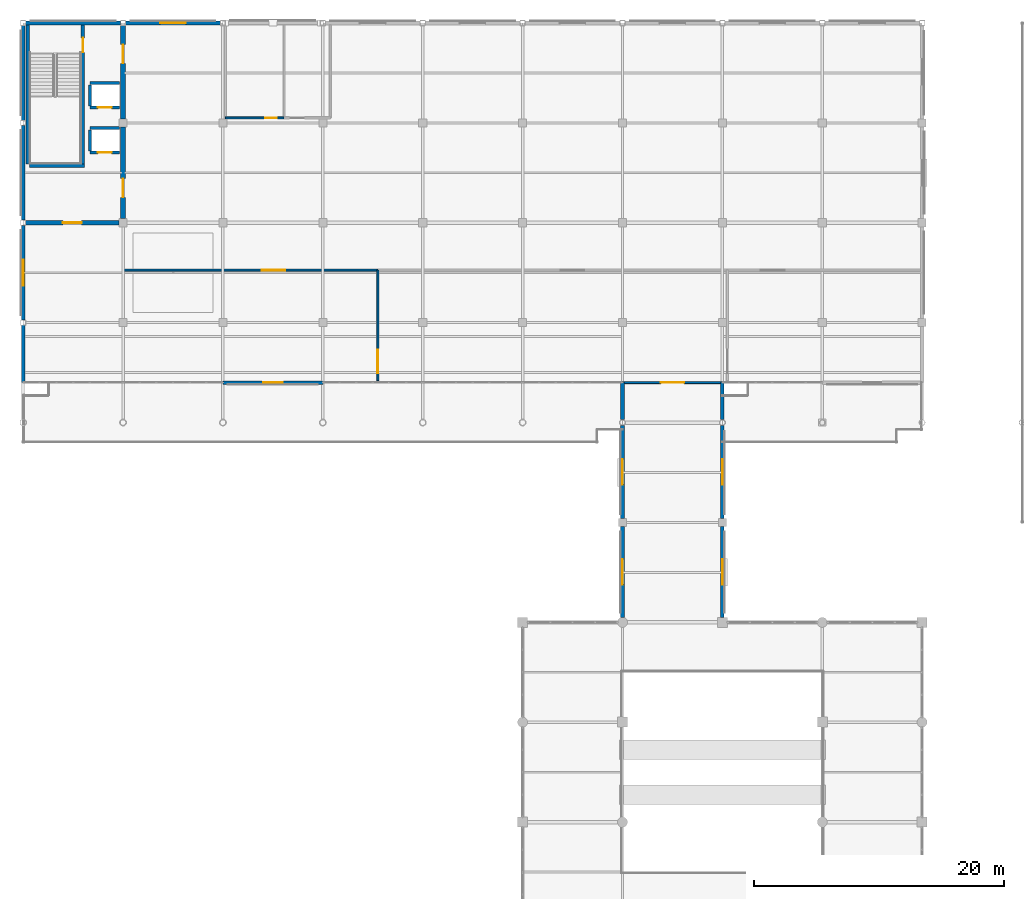
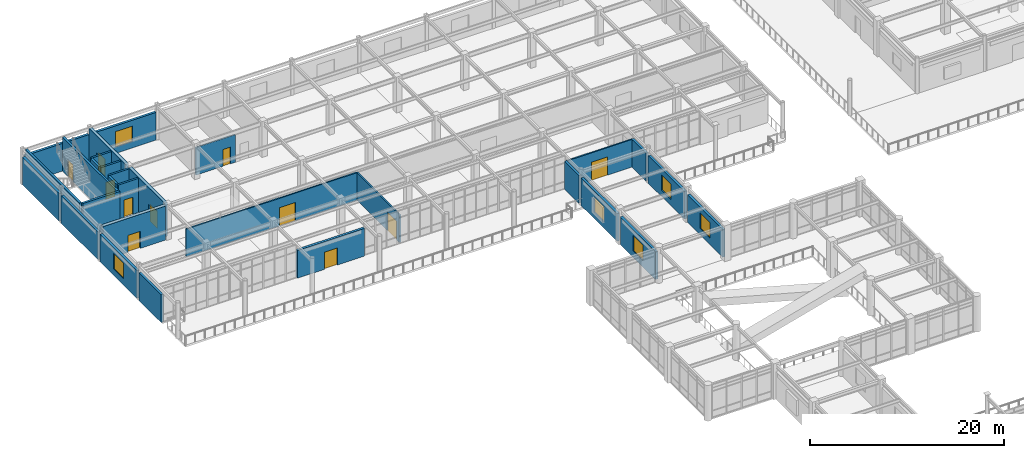
# One storey, part 57 of 75: 29 walls, 11 doors, 6 windows, 17 openings.
"""IFC4 building model written with IfcOpenShell, lengths in metres."""

from ifc_helpers import new_model, si_unit, direction, frame, frame_2d, origin, place, context, subcontext, project, spatial, rectangle, extrude, material, layer, layer_set, type_object, element, fill, save


model = new_model("IFC4")

# Units and contexts
model_context = context("Model", 3, precision=1e-05, world=origin(), true_north=direction((0.0, 1.0)))
body_context = subcontext(model_context, "Body", "Model", "MODEL_VIEW")
ifc_project = project(units=[si_unit("LENGTHUNIT", "METRE"), si_unit("AREAUNIT", "SQUARE_METRE"), si_unit("VOLUMEUNIT", "CUBIC_METRE"), si_unit("PLANEANGLEUNIT", "RADIAN"), si_unit("MASSUNIT", "GRAM", prefix="KILO")], contexts=[model_context])

# Site, building, storey
site_placement = place(None, origin())
site = spatial("IfcSite", under=ifc_project, at=site_placement, CompositionType="ELEMENT")
building_placement = place(site_placement, origin())
building = spatial("IfcBuilding", under=site, at=building_placement, Name="Solmirada Galleria", CompositionType="ELEMENT")
storey_placement = place(building_placement, frame((0.0, 0.0, 19.39990234375)))
storey = spatial("IfcBuildingStorey", under=building, at=storey_placement, Name="L04", CompositionType="ELEMENT", Elevation=19.39990234375)

# Wall, opening, door
ifc_material_1 = material(Name="Concrete C40/50", Category="concrete")
ifc_layer_1 = layer(ifc_material_1, 0.3798828125)
ifc_layer_set_1 = layer_set([ifc_layer_1], Name="Concrete C40/50")
wall_type_1 = type_object("IfcWallType", Name="WL-CORE-380", PredefinedType="SHEAR", material=ifc_layer_set_1)
wall_1_placement = place(storey_placement, frame((40.202880859375, 104.0, 0.0), z_axis=(0.0, 0.0, 1.0), x_axis=(1.0, 0.0, 0.0)))
wall_1 = element("IfcWall", 1, at=wall_1_placement, inside=storey, type_object=wall_type_1, Name="Core C1 shear wall L04 S1", PredefinedType="SHEAR", context=body_context, shape_type="SweptSolid", body=[
    extrude(rectangle(XDim=7.47216796875, YDim=0.3798828125, at=frame_2d((3.736083984375, 0.0))), origin(), (0.0, 0.0, 1.0), 4.280029296875),
])
opening_1_placement = place(wall_1_placement, frame((2.986083984375, 0.0, 0.0)))
opening_1 = element("IfcOpeningElement", 2, at=opening_1_placement, cuts=wall_1, Name="Opening LDY-122", PredefinedType="OPENING", context=body_context, shape_type="SweptSolid", body=[
    extrude(rectangle(XDim=1.5, YDim=2.14990234375, at=frame_2d((0.75, 1.074951171875))), frame((0.0, 0.199951171875, 0.0), z_axis=(0.0, -1.0, 0.0), x_axis=(1.0, 0.0, 0.0)), (0.0, 0.0, 1.0), 0.39990234375),
])
ifc_material_2 = material(Name="Fire-rated painted steel door assembly", Category="steel")
door_type_1 = type_object("IfcDoorType", Name="DR-LOBBY-150X215", OperationType="DOUBLE_DOOR_SINGLE_SWING", PredefinedType="DOOR", material=ifc_material_2)
door_1_placement = place(opening_1_placement, origin())
door_1 = element("IfcDoor", 3, at=door_1_placement, inside=storey, type_object=door_type_1, Name="Core C1 lobby access fire door LDY-122", OperationType="DOUBLE_DOOR_SINGLE_SWING", OverallHeight=2.14990234375, OverallWidth=1.5, PredefinedType="DOOR", context=body_context, shape_type="SweptSolid", body=[
    extrude(rectangle(XDim=1.5, YDim=2.14990234375, at=frame_2d((0.75, 1.074951171875))), frame((0.0, 0.02490234375, 0.0), z_axis=(0.0, -1.0, 0.0), x_axis=(1.0, 0.0, 0.0)), (0.0, 0.0, 1.0), 0.050048828125),
])
fill(opening_1, door_1)

wall_2_placement = place(storey_placement, frame((48.0, 104.324951171875, 0.0), z_axis=(0.0, 0.0, 1.0), x_axis=(0.0, 1.0, 0.0)))
wall_2 = element("IfcWall", 4, at=wall_2_placement, inside=storey, type_object=wall_type_1, Name="Core C1 shear wall L04 E1", PredefinedType="SHEAR", context=body_context, shape_type="SweptSolid", body=[
    extrude(rectangle(XDim=7.35009765625, YDim=0.3798828125, at=frame_2d((3.675048828125, 0.0))), origin(), (0.0, 0.0, 1.0), 4.280029296875),
])
opening_2_placement = place(wall_2_placement, frame((1.7119140625, 0.0, 0.0)))
opening_2 = element("IfcOpeningElement", 5, at=opening_2_placement, cuts=wall_2, Name="Opening LDY-123", PredefinedType="OPENING", context=body_context, shape_type="SweptSolid", body=[
    extrude(rectangle(XDim=1.5, YDim=2.14990234375, at=frame_2d((0.75, 1.074951171875))), frame((0.0, 0.199951171875, 0.0), z_axis=(0.0, -1.0, 0.0), x_axis=(1.0, 0.0, 0.0)), (0.0, 0.0, 1.0), 0.39990234375),
])
door_2_placement = place(opening_2_placement, origin())
door_2 = element("IfcDoor", 6, at=door_2_placement, inside=storey, type_object=door_type_1, Name="Core C1 lobby access fire door LDY-123", OperationType="DOUBLE_DOOR_SINGLE_SWING", OverallHeight=2.14990234375, OverallWidth=1.5, PredefinedType="DOOR", context=body_context, shape_type="SweptSolid", body=[
    extrude(rectangle(XDim=1.5, YDim=2.14990234375, at=frame_2d((0.75, 1.074951171875))), frame((0.0, 0.02490234375, 0.0), z_axis=(0.0, -1.0, 0.0), x_axis=(1.0, 0.0, 0.0)), (0.0, 0.0, 1.0), 0.050048828125),
])
fill(opening_2, door_2)

wall_3_placement = place(storey_placement, frame((48.0, 112.324951171875, 0.0), z_axis=(0.0, 0.0, 1.0), x_axis=(0.0, 1.0, 0.0)))
wall_3 = element("IfcWall", 7, at=wall_3_placement, inside=storey, type_object=wall_type_1, Name="Core C1 shear wall L04 E2", PredefinedType="SHEAR", context=body_context, shape_type="SweptSolid", body=[
    extrude(rectangle(XDim=7.47216796875, YDim=0.3798828125, at=frame_2d((3.736083984375, 0.0))), origin(), (0.0, 0.0, 1.0), 4.280029296875),
])
opening_3_placement = place(wall_3_placement, frame((4.447998046875, 0.0, 0.0)))
opening_3 = element("IfcOpeningElement", 8, at=opening_3_placement, cuts=wall_3, Name="Opening LDY-124", PredefinedType="OPENING", context=body_context, shape_type="SweptSolid", body=[
    extrude(rectangle(XDim=1.5, YDim=2.14990234375, at=frame_2d((0.75, 1.074951171875))), frame((0.0, 0.199951171875, 0.0), z_axis=(0.0, -1.0, 0.0), x_axis=(1.0, 0.0, 0.0)), (0.0, 0.0, 1.0), 0.39990234375),
])
door_3_placement = place(opening_3_placement, origin())
door_3 = element("IfcDoor", 9, at=door_3_placement, inside=storey, type_object=door_type_1, Name="Core C1 lobby access fire door LDY-124", OperationType="DOUBLE_DOOR_SINGLE_SWING", OverallHeight=2.14990234375, OverallWidth=1.5, PredefinedType="DOOR", context=body_context, shape_type="SweptSolid", body=[
    extrude(rectangle(XDim=1.5, YDim=2.14990234375, at=frame_2d((0.75, 1.074951171875))), frame((0.0, 0.02490234375, 0.0), z_axis=(0.0, -1.0, 0.0), x_axis=(1.0, 0.0, 0.0)), (0.0, 0.0, 1.0), 0.050048828125),
])
fill(opening_3, door_3)

# Wall, opening, window
ifc_material_3 = material(Name="Precast concrete C40/50", Category="concrete")
ifc_layer_2 = layer(ifc_material_3, 0.2900390625)
ifc_layer_set_2 = layer_set([ifc_layer_2], Name="Precast concrete C40/50")
wall_type_2 = type_object("IfcWallType", Name="WL-EXT-290", PredefinedType="STANDARD", material=ifc_layer_set_2)
wall_4_placement = place(storey_placement, frame((88.0, 72.39990234375, 0.0), z_axis=(0.0, 0.0, 1.0), x_axis=(0.0, 1.0, 0.0)))
wall_4 = element("IfcWall", 10, at=wall_4_placement, inside=storey, type_object=wall_type_2, Name="Exterior wall L04 bay 009", PredefinedType="STANDARD", context=body_context, shape_type="SweptSolid", body=[
    extrude(rectangle(XDim=7.275146484375, YDim=0.2900390625, at=frame_2d((3.6376953125, 0.0))), origin(), (0.0, 0.0, 1.0), 3.47998046875),
])
opening_4_placement = place(wall_4_placement, frame((2.612060546875, 0.0, 0.800048828125)))
opening_4 = element("IfcOpeningElement", 11, at=opening_4_placement, cuts=wall_4, Name="Opening WN4", PredefinedType="OPENING", context=body_context, shape_type="SweptSolid", body=[
    extrude(rectangle(XDim=2.050048828125, YDim=1.949951171875, at=frame_2d((1.02490234375, 0.97509765625))), frame((0.0, 0.155029296875, 0.0), z_axis=(0.0, -1.0, 0.0), x_axis=(1.0, 0.0, 0.0)), (0.0, 0.0, 1.0), 0.31005859375),
])
ifc_material_4 = material(Name="Impact-resistant low-E double glazing", Category="glass")
window_type = type_object("IfcWindowType", Name="WIN-AVE-205X195", PartitioningType="DOUBLE_PANEL_VERTICAL", PredefinedType="WINDOW", material=ifc_material_4)
window_1_placement = place(opening_4_placement, origin())
window_1 = element("IfcWindow", 12, at=window_1_placement, inside=storey, type_object=window_type, Name="Window L04-115", OverallHeight=1.949951171875, OverallWidth=2.050048828125, PartitioningType="DOUBLE_PANEL_VERTICAL", PredefinedType="WINDOW", context=body_context, shape_type="SweptSolid", body=[
    extrude(rectangle(XDim=2.050048828125, YDim=1.949951171875, at=frame_2d((1.02490234375, 0.97509765625))), frame((0.0, 0.030029296875, 0.0), z_axis=(0.0, -1.0, 0.0), x_axis=(1.0, 0.0, 0.0)), (0.0, 0.0, 1.0), 0.06005859375),
])
fill(opening_4, window_1)

wall_5_placement = place(storey_placement, frame((88.0, 80.324951171875, 0.0), z_axis=(0.0, 0.0, 1.0), x_axis=(0.0, 1.0, 0.0)))
wall_5 = element("IfcWall", 13, at=wall_5_placement, inside=storey, type_object=wall_type_2, Name="Exterior wall L04 bay 010", PredefinedType="STANDARD", context=body_context, shape_type="SweptSolid", body=[
    extrude(rectangle(XDim=7.446533203125, YDim=0.2900390625, at=frame_2d((3.72314453125, 0.0))), origin(), (0.0, 0.0, 1.0), 3.47998046875),
])
opening_5_placement = place(wall_5_placement, frame((2.697998046875, 0.0, 0.800048828125)))
opening_5 = element("IfcOpeningElement", 14, at=opening_5_placement, cuts=wall_5, Name="Opening WN4", PredefinedType="OPENING", context=body_context, shape_type="SweptSolid", body=[
    extrude(rectangle(XDim=2.050048828125, YDim=1.949951171875, at=frame_2d((1.02490234375, 0.97509765625))), frame((0.0, 0.155029296875, 0.0), z_axis=(0.0, -1.0, 0.0), x_axis=(1.0, 0.0, 0.0)), (0.0, 0.0, 1.0), 0.31005859375),
])
window_2_placement = place(opening_5_placement, origin())
window_2 = element("IfcWindow", 15, at=window_2_placement, inside=storey, type_object=window_type, Name="Window L04-116", OverallHeight=1.949951171875, OverallWidth=2.050048828125, PartitioningType="DOUBLE_PANEL_VERTICAL", PredefinedType="WINDOW", context=body_context, shape_type="SweptSolid", body=[
    extrude(rectangle(XDim=2.050048828125, YDim=1.949951171875, at=frame_2d((1.02490234375, 0.97509765625))), frame((0.0, 0.030029296875, 0.0), z_axis=(0.0, -1.0, 0.0), x_axis=(1.0, 0.0, 0.0)), (0.0, 0.0, 1.0), 0.06005859375),
])
fill(opening_5, window_2)

# Wall
wall_6_placement = place(storey_placement, frame((88.0, 88.228515625, 0.0), z_axis=(0.0, 0.0, 1.0), x_axis=(0.0, 1.0, 0.0)))
element("IfcWall", 16, at=wall_6_placement, inside=storey, type_object=wall_type_2, Name="Exterior wall L04 bay 011", PredefinedType="STANDARD", context=body_context, shape_type="SweptSolid", body=[
    extrude(rectangle(XDim=2.971435546875, YDim=0.2900390625, at=frame_2d((1.48583984375, 0.0))), origin(), (0.0, 0.0, 1.0), 3.47998046875),
])

# Wall, opening, door
wall_7_placement = place(storey_placement, frame((64.0, 91.199951171875, 0.0), z_axis=(0.0, 0.0, 1.0), x_axis=(-1.0, 0.0, 0.0)))
wall_7 = element("IfcWall", 17, at=wall_7_placement, inside=storey, type_object=wall_type_2, Name="Exterior wall L04 bay 015", PredefinedType="STANDARD", context=body_context, shape_type="SweptSolid", body=[
    extrude(rectangle(XDim=8.0, YDim=0.2900390625, at=frame_2d((4.0, 0.0))), origin(), (0.0, 0.0, 1.0), 3.47998046875),
])
opening_6_placement = place(wall_7_placement, frame((3.22509765625, 0.0, 0.0)))
opening_6 = element("IfcOpeningElement", 18, at=opening_6_placement, cuts=wall_7, Name="Opening TD-070", PredefinedType="OPENING", context=body_context, shape_type="SweptSolid", body=[
    extrude(rectangle(XDim=1.550048828125, YDim=2.14990234375, at=frame_2d((0.77490234375, 1.074951171875))), frame((0.0, 0.155029296875, 0.0), z_axis=(0.0, -1.0, 0.0), x_axis=(1.0, 0.0, 0.0)), (0.0, 0.0, 1.0), 0.31005859375),
])
ifc_material_5 = material(Name="Thermally broken aluminium and laminated glass door", Category="aluminium")
door_type_2 = type_object("IfcDoorType", Name="DR-TERR-155X215", OperationType="DOUBLE_DOOR_SINGLE_SWING", PredefinedType="DOOR", material=ifc_material_5)
door_4_placement = place(opening_6_placement, origin())
door_4 = element("IfcDoor", 19, at=door_4_placement, inside=storey, type_object=door_type_2, Name="Planted terrace access door TD-070", OperationType="DOUBLE_DOOR_SINGLE_SWING", OverallHeight=2.14990234375, OverallWidth=1.550048828125, PredefinedType="DOOR", context=body_context, shape_type="SweptSolid", body=[
    extrude(rectangle(XDim=1.550048828125, YDim=2.14990234375, at=frame_2d((0.77490234375, 1.074951171875))), frame((0.0, 0.02490234375, 0.0), z_axis=(0.0, -1.0, 0.0), x_axis=(1.0, 0.0, 0.0)), (0.0, 0.0, 1.0), 0.050048828125),
])
fill(opening_6, door_4)

# Wall
wall_8_placement = place(storey_placement, frame((40.0, 91.199951171875, 0.0), z_axis=(0.0, 0.0, 1.0), x_axis=(0.0, 1.0, 0.0)))
element("IfcWall", 20, at=wall_8_placement, inside=storey, type_object=wall_type_2, Name="Exterior wall L04 bay 018", PredefinedType="STANDARD", context=body_context, shape_type="SweptSolid", body=[
    extrude(rectangle(XDim=4.59716796875, YDim=0.2900390625, at=frame_2d((2.298583984375, 0.0))), origin(), (0.0, 0.0, 1.0), 3.47998046875),
])

# Wall, opening, window
wall_9_placement = place(storey_placement, frame((40.0, 96.202880859375, 0.0), z_axis=(0.0, 0.0, 1.0), x_axis=(0.0, 1.0, 0.0)))
wall_9 = element("IfcWall", 21, at=wall_9_placement, inside=storey, type_object=wall_type_2, Name="Exterior wall L04 bay 019", PredefinedType="STANDARD", context=body_context, shape_type="SweptSolid", body=[
    extrude(rectangle(XDim=7.59423828125, YDim=0.2900390625, at=frame_2d((3.797119140625, 0.0))), origin(), (0.0, 0.0, 1.0), 3.47998046875),
])
opening_7_placement = place(wall_9_placement, frame((2.77197265625, 0.0, 0.800048828125)))
opening_7 = element("IfcOpeningElement", 22, at=opening_7_placement, cuts=wall_9, Name="Opening WN4", PredefinedType="OPENING", context=body_context, shape_type="SweptSolid", body=[
    extrude(rectangle(XDim=2.050048828125, YDim=1.949951171875, at=frame_2d((1.02490234375, 0.97509765625))), frame((0.0, 0.155029296875, 0.0), z_axis=(0.0, -1.0, 0.0), x_axis=(1.0, 0.0, 0.0)), (0.0, 0.0, 1.0), 0.31005859375),
])
window_3_placement = place(opening_7_placement, origin())
window_3 = element("IfcWindow", 23, at=window_3_placement, inside=storey, type_object=window_type, Name="Window L04-117", OverallHeight=1.949951171875, OverallWidth=2.050048828125, PartitioningType="DOUBLE_PANEL_VERTICAL", PredefinedType="WINDOW", context=body_context, shape_type="SweptSolid", body=[
    extrude(rectangle(XDim=2.050048828125, YDim=1.949951171875, at=frame_2d((1.02490234375, 0.97509765625))), frame((0.0, 0.030029296875, 0.0), z_axis=(0.0, -1.0, 0.0), x_axis=(1.0, 0.0, 0.0)), (0.0, 0.0, 1.0), 0.06005859375),
])
fill(opening_7, window_3)

# Walls
for number, where, z_axis, x_axis, name in (
    (24, (40.0, 104.202880859375, 0.0), (0.0, 0.0, 1.0), (0.0, 1.0, 0.0), "Exterior wall L04 bay 020"),
    (25, (40.0, 112.202880859375, 0.0), (0.0, 0.0, 1.0), (0.0, 1.0, 0.0), "Exterior wall L04 bay 021"),
    (26, (40.202880859375, 120.0, 0.0), (0.0, 0.0, 1.0), (1.0, 0.0, 0.0), "Exterior wall L04 bay 022"),
):
    element("IfcWall", number, at=place(storey_placement, frame(where, z_axis=z_axis, x_axis=x_axis)), inside=storey, type_object=wall_type_2, Name=name, PredefinedType="STANDARD", context=body_context, shape_type="SweptSolid", body=[
        extrude(rectangle(XDim=7.59423828125, YDim=0.2900390625, at=frame_2d((3.797119140625, 0.0))), origin(), (0.0, 0.0, 1.0), 3.47998046875),
    ])

# Wall, opening, window
wall_10_placement = place(storey_placement, frame((48.202880859375, 120.0, 0.0), z_axis=(0.0, 0.0, 1.0), x_axis=(1.0, 0.0, 0.0)))
wall_10 = element("IfcWall", 27, at=wall_10_placement, inside=storey, type_object=wall_type_2, Name="Exterior wall L04 bay 023", PredefinedType="STANDARD", context=body_context, shape_type="SweptSolid", body=[
    extrude(rectangle(XDim=7.59423828125, YDim=0.2900390625, at=frame_2d((3.797119140625, 0.0))), origin(), (0.0, 0.0, 1.0), 3.47998046875),
])
opening_8_placement = place(wall_10_placement, frame((2.77197265625, 0.0, 0.800048828125)))
opening_8 = element("IfcOpeningElement", 28, at=opening_8_placement, cuts=wall_10, Name="Opening WN4", PredefinedType="OPENING", context=body_context, shape_type="SweptSolid", body=[
    extrude(rectangle(XDim=2.050048828125, YDim=1.949951171875, at=frame_2d((1.02490234375, 0.97509765625))), frame((0.0, 0.155029296875, 0.0), z_axis=(0.0, -1.0, 0.0), x_axis=(1.0, 0.0, 0.0)), (0.0, 0.0, 1.0), 0.31005859375),
])
window_4_placement = place(opening_8_placement, origin())
window_4 = element("IfcWindow", 29, at=window_4_placement, inside=storey, type_object=window_type, Name="Window L04-118", OverallHeight=1.949951171875, OverallWidth=2.050048828125, PartitioningType="DOUBLE_PANEL_VERTICAL", PredefinedType="WINDOW", context=body_context, shape_type="SweptSolid", body=[
    extrude(rectangle(XDim=2.050048828125, YDim=1.949951171875, at=frame_2d((1.02490234375, 0.97509765625))), frame((0.0, 0.030029296875, 0.0), z_axis=(0.0, -1.0, 0.0), x_axis=(1.0, 0.0, 0.0)), (0.0, 0.0, 1.0), 0.06005859375),
])
fill(opening_8, window_4)

# Wall
wall_11_placement = place(storey_placement, frame((96.0, 91.199951171875, 0.0), z_axis=(0.0, 0.0, 1.0), x_axis=(0.0, -1.0, 0.0)))
element("IfcWall", 30, at=wall_11_placement, inside=storey, type_object=wall_type_2, Name="Exterior wall L04 bay 037", PredefinedType="STANDARD", context=body_context, shape_type="SweptSolid", body=[
    extrude(rectangle(XDim=2.971435546875, YDim=0.2900390625, at=frame_2d((1.48583984375, 0.0))), origin(), (0.0, 0.0, 1.0), 3.47998046875),
])

# Wall, opening, window
wall_12_placement = place(storey_placement, frame((96.0, 87.771484375, 0.0), z_axis=(0.0, 0.0, 1.0), x_axis=(0.0, -1.0, 0.0)))
wall_12 = element("IfcWall", 31, at=wall_12_placement, inside=storey, type_object=wall_type_2, Name="Exterior wall L04 bay 038", PredefinedType="STANDARD", context=body_context, shape_type="SweptSolid", body=[
    extrude(rectangle(XDim=7.446533203125, YDim=0.2900390625, at=frame_2d((3.72314453125, 0.0))), origin(), (0.0, 0.0, 1.0), 3.47998046875),
])
opening_9_placement = place(wall_12_placement, frame((2.697998046875, 0.0, 0.800048828125)))
opening_9 = element("IfcOpeningElement", 32, at=opening_9_placement, cuts=wall_12, Name="Opening WN4", PredefinedType="OPENING", context=body_context, shape_type="SweptSolid", body=[
    extrude(rectangle(XDim=2.050048828125, YDim=1.949951171875, at=frame_2d((1.02490234375, 0.97509765625))), frame((0.0, 0.155029296875, 0.0), z_axis=(0.0, -1.0, 0.0), x_axis=(1.0, 0.0, 0.0)), (0.0, 0.0, 1.0), 0.31005859375),
])
window_5_placement = place(opening_9_placement, origin())
window_5 = element("IfcWindow", 33, at=window_5_placement, inside=storey, type_object=window_type, Name="Window L04-127", OverallHeight=1.949951171875, OverallWidth=2.050048828125, PartitioningType="DOUBLE_PANEL_VERTICAL", PredefinedType="WINDOW", context=body_context, shape_type="SweptSolid", body=[
    extrude(rectangle(XDim=2.050048828125, YDim=1.949951171875, at=frame_2d((1.02490234375, 0.97509765625))), frame((0.0, 0.030029296875, 0.0), z_axis=(0.0, -1.0, 0.0), x_axis=(1.0, 0.0, 0.0)), (0.0, 0.0, 1.0), 0.06005859375),
])
fill(opening_9, window_5)

wall_13_placement = place(storey_placement, frame((96.0, 79.675048828125, 0.0), z_axis=(0.0, 0.0, 1.0), x_axis=(0.0, -1.0, 0.0)))
wall_13 = element("IfcWall", 34, at=wall_13_placement, inside=storey, type_object=wall_type_2, Name="Exterior wall L04 bay 039", PredefinedType="STANDARD", context=body_context, shape_type="SweptSolid", body=[
    extrude(rectangle(XDim=7.275146484375, YDim=0.2900390625, at=frame_2d((3.6376953125, 0.0))), origin(), (0.0, 0.0, 1.0), 3.47998046875),
])
opening_10_placement = place(wall_13_placement, frame((2.612060546875, 0.0, 0.800048828125)))
opening_10 = element("IfcOpeningElement", 35, at=opening_10_placement, cuts=wall_13, Name="Opening WN4", PredefinedType="OPENING", context=body_context, shape_type="SweptSolid", body=[
    extrude(rectangle(XDim=2.050048828125, YDim=1.949951171875, at=frame_2d((1.02490234375, 0.97509765625))), frame((0.0, 0.155029296875, 0.0), z_axis=(0.0, -1.0, 0.0), x_axis=(1.0, 0.0, 0.0)), (0.0, 0.0, 1.0), 0.31005859375),
])
window_6_placement = place(opening_10_placement, origin())
window_6 = element("IfcWindow", 36, at=window_6_placement, inside=storey, type_object=window_type, Name="Window L04-128", OverallHeight=1.949951171875, OverallWidth=2.050048828125, PartitioningType="DOUBLE_PANEL_VERTICAL", PredefinedType="WINDOW", context=body_context, shape_type="SweptSolid", body=[
    extrude(rectangle(XDim=2.050048828125, YDim=1.949951171875, at=frame_2d((1.02490234375, 0.97509765625))), frame((0.0, 0.030029296875, 0.0), z_axis=(0.0, -1.0, 0.0), x_axis=(1.0, 0.0, 0.0)), (0.0, 0.0, 1.0), 0.06005859375),
])
fill(opening_10, window_6)

# Wall, opening, door
ifc_layer_3 = layer(ifc_material_1, 0.239990234375)
ifc_layer_set_3 = layer_set([ifc_layer_3], Name="Concrete C40/50")
wall_type_3 = type_object("IfcWallType", Name="WL-HOIST-240", PredefinedType="PARTITIONING", material=ifc_layer_set_3)
wall_14_placement = place(storey_placement, frame((45.344970703125, 113.219970703125, 0.0), z_axis=(0.0, 0.0, 1.0), x_axis=(1.0, 0.0, 0.0)))
wall_14 = element("IfcWall", 37, at=wall_14_placement, inside=storey, type_object=wall_type_3, Name="Lift LP1 hoistway front wall L04", PredefinedType="PARTITIONING", context=body_context, shape_type="SweptSolid", body=[
    extrude(rectangle(XDim=2.375, YDim=0.239990234375, at=frame_2d((1.1875, 0.0))), origin(), (0.0, 0.0, 1.0), 4.280029296875),
])
opening_11_placement = place(wall_14_placement, frame((0.636962890625, 0.0, 0.0)))
opening_11 = element("IfcOpeningElement", 38, at=opening_11_placement, cuts=wall_14, Name="Opening LD-LP1-L04", PredefinedType="OPENING", context=body_context, shape_type="SweptSolid", body=[
    extrude(rectangle(XDim=1.10009765625, YDim=2.14990234375, at=frame_2d((0.550048828125, 1.074951171875))), frame((0.0, 0.1298828125, 0.0), z_axis=(0.0, -1.0, 0.0), x_axis=(1.0, 0.0, 0.0)), (0.0, 0.0, 1.0), 0.260009765625),
])
ifc_material_6 = material(Name="Brushed stainless-steel sliding landing door", Category="steel")
door_type_3 = type_object("IfcDoorType", Name="DR-LIFT-110X215", OperationType="SLIDING_TO_LEFT", PredefinedType="DOOR", material=ifc_material_6)
door_5_placement = place(opening_11_placement, origin())
door_5 = element("IfcDoor", 39, at=door_5_placement, inside=storey, type_object=door_type_3, Name="Lift LP1 sliding landing door L04", OperationType="SLIDING_TO_LEFT", OverallHeight=2.14990234375, OverallWidth=1.10009765625, PredefinedType="DOOR", context=body_context, shape_type="SweptSolid", body=[
    extrude(rectangle(XDim=1.10009765625, YDim=2.14990234375, at=frame_2d((0.550048828125, 1.074951171875))), frame((0.0, 0.02490234375, 0.0), z_axis=(0.0, -1.0, 0.0), x_axis=(1.0, 0.0, 0.0)), (0.0, 0.0, 1.0), 0.050048828125),
])
fill(opening_11, door_5)

# Walls
wall_15_placement = place(storey_placement, frame((45.344970703125, 115.179931640625, 0.0), z_axis=(0.0, 0.0, 1.0), x_axis=(1.0, 0.0, 0.0)))
element("IfcWall", 40, at=wall_15_placement, inside=storey, type_object=wall_type_3, Name="Lift LP1 hoistway rear wall L04", PredefinedType="PARTITIONING", context=body_context, shape_type="SweptSolid", body=[
    extrude(rectangle(XDim=2.375, YDim=0.239990234375, at=frame_2d((1.1875, 0.0))), origin(), (0.0, 0.0, 1.0), 4.280029296875),
])
wall_16_placement = place(storey_placement, frame((45.344970703125, 113.360107421875, 0.0), z_axis=(0.0, 0.0, 1.0), x_axis=(0.0, 1.0, 0.0)))
element("IfcWall", 41, at=wall_16_placement, inside=storey, type_object=wall_type_3, Name="Lift LP1 hoistway side wall L L04", PredefinedType="PARTITIONING", context=body_context, shape_type="SweptSolid", body=[
    extrude(rectangle(XDim=1.679931640625, YDim=0.239990234375, at=frame_2d((0.83984375, 0.0))), origin(), (0.0, 0.0, 1.0), 4.280029296875),
])

# Wall, opening, door
wall_17_placement = place(storey_placement, frame((45.344970703125, 109.6201171875, 0.0), z_axis=(0.0, 0.0, 1.0), x_axis=(1.0, 0.0, 0.0)))
wall_17 = element("IfcWall", 42, at=wall_17_placement, inside=storey, type_object=wall_type_3, Name="Lift LP2 hoistway front wall L04", PredefinedType="PARTITIONING", context=body_context, shape_type="SweptSolid", body=[
    extrude(rectangle(XDim=2.375, YDim=0.239990234375, at=frame_2d((1.1875, 0.0))), origin(), (0.0, 0.0, 1.0), 4.280029296875),
])
opening_12_placement = place(wall_17_placement, frame((0.636962890625, 0.0, 0.0)))
opening_12 = element("IfcOpeningElement", 43, at=opening_12_placement, cuts=wall_17, Name="Opening LD-LP2-L04", PredefinedType="OPENING", context=body_context, shape_type="SweptSolid", body=[
    extrude(rectangle(XDim=1.10009765625, YDim=2.14990234375, at=frame_2d((0.550048828125, 1.074951171875))), frame((0.0, 0.1298828125, 0.0), z_axis=(0.0, -1.0, 0.0), x_axis=(1.0, 0.0, 0.0)), (0.0, 0.0, 1.0), 0.260009765625),
])
door_6_placement = place(opening_12_placement, origin())
door_6 = element("IfcDoor", 44, at=door_6_placement, inside=storey, type_object=door_type_3, Name="Lift LP2 sliding landing door L04", OperationType="SLIDING_TO_LEFT", OverallHeight=2.14990234375, OverallWidth=1.10009765625, PredefinedType="DOOR", context=body_context, shape_type="SweptSolid", body=[
    extrude(rectangle(XDim=1.10009765625, YDim=2.14990234375, at=frame_2d((0.550048828125, 1.074951171875))), frame((0.0, 0.02490234375, 0.0), z_axis=(0.0, -1.0, 0.0), x_axis=(1.0, 0.0, 0.0)), (0.0, 0.0, 1.0), 0.050048828125),
])
fill(opening_12, door_6)

# Walls
wall_18_placement = place(storey_placement, frame((45.344970703125, 111.580078125, 0.0), z_axis=(0.0, 0.0, 1.0), x_axis=(1.0, 0.0, 0.0)))
element("IfcWall", 45, at=wall_18_placement, inside=storey, type_object=wall_type_3, Name="Lift LP2 hoistway rear wall L04", PredefinedType="PARTITIONING", context=body_context, shape_type="SweptSolid", body=[
    extrude(rectangle(XDim=2.375, YDim=0.239990234375, at=frame_2d((1.1875, 0.0))), origin(), (0.0, 0.0, 1.0), 4.280029296875),
])
wall_19_placement = place(storey_placement, frame((45.344970703125, 109.760009765625, 0.0), z_axis=(0.0, 0.0, 1.0), x_axis=(0.0, 1.0, 0.0)))
element("IfcWall", 46, at=wall_19_placement, inside=storey, type_object=wall_type_3, Name="Lift LP2 hoistway side wall L L04", PredefinedType="PARTITIONING", context=body_context, shape_type="SweptSolid", body=[
    extrude(rectangle(XDim=1.679931640625, YDim=0.239990234375, at=frame_2d((0.83984375, 0.0))), origin(), (0.0, 0.0, 1.0), 4.280029296875),
])

# Wall, opening, door
ifc_material_7 = material(Name="Acoustic gypsum board partition")
ifc_layer_4 = layer(ifc_material_7, 0.159912109375)
ifc_layer_set_4 = layer_set([ifc_layer_4], Name="Acoustic gypsum board partition")
wall_type_4 = type_object("IfcWallType", Name="WL-PART-160", PredefinedType="PARTITIONING", material=ifc_layer_set_4)
wall_20_placement = place(storey_placement, frame((56.199951171875, 112.39990234375, 0.0), z_axis=(0.0, 0.0, 1.0), x_axis=(1.0, 0.0, 0.0)))
wall_20 = element("IfcWall", 47, at=wall_20_placement, inside=storey, type_object=wall_type_4, Name="Partition L04-118 (North Restroom)", PredefinedType="PARTITIONING", context=body_context, shape_type="SweptSolid", body=[
    extrude(rectangle(XDim=4.699951171875, YDim=0.159912109375, at=frame_2d((2.35009765625, 0.0))), origin(), (0.0, 0.0, 1.0), 3.47998046875),
])
opening_13_placement = place(wall_20_placement, frame((3.193115234375, 0.0, 0.0)))
opening_13 = element("IfcOpeningElement", 48, at=opening_13_placement, cuts=wall_20, Name="Opening ID-344", PredefinedType="OPENING", context=body_context, shape_type="SweptSolid", body=[
    extrude(rectangle(XDim=0.919921875, YDim=2.10009765625, at=frame_2d((0.4599609375, 1.050048828125))), frame((0.0, 0.08984375, 0.0), z_axis=(0.0, -1.0, 0.0), x_axis=(1.0, 0.0, 0.0)), (0.0, 0.0, 1.0), 0.179931640625),
])
ifc_material_8 = material(Name="Architectural hardwood veneer door", Category="wood")
door_type_4 = type_object("IfcDoorType", Name="DR-WC-092X210", OperationType="NOTDEFINED", PredefinedType="DOOR", material=ifc_material_8)
door_7_placement = place(opening_13_placement, origin())
door_7 = element("IfcDoor", 49, at=door_7_placement, inside=storey, type_object=door_type_4, Name="North Restroom door ID-344", OperationType="SINGLE_SWING_RIGHT", OverallHeight=2.10009765625, OverallWidth=0.919921875, PredefinedType="DOOR", context=body_context, shape_type="SweptSolid", body=[
    extrude(rectangle(XDim=0.919921875, YDim=2.10009765625, at=frame_2d((0.4599609375, 1.050048828125))), frame((0.0, 0.02490234375, 0.0), z_axis=(0.0, -1.0, 0.0), x_axis=(1.0, 0.0, 0.0)), (0.0, 0.0, 1.0), 0.050048828125),
])
fill(opening_13, door_7)

wall_21_placement = place(storey_placement, frame((48.0, 100.199951171875, 0.0), z_axis=(0.0, 0.0, 1.0), x_axis=(1.0, 0.0, 0.0)))
wall_21 = element("IfcWall", 50, at=wall_21_placement, inside=storey, type_object=wall_type_4, Name="Partition L04-123 (North Promenade W L04)", PredefinedType="PARTITIONING", context=body_context, shape_type="SweptSolid", body=[
    extrude(rectangle(XDim=20.39990234375, YDim=0.159912109375, at=frame_2d((10.199951171875, 0.0))), origin(), (0.0, 0.0, 1.0), 3.47998046875),
])
opening_14_placement = place(wall_21_placement, frame((11.091064453125, 0.0, 0.0)))
opening_14 = element("IfcOpeningElement", 51, at=opening_14_placement, cuts=wall_21, Name="Opening ID-346", PredefinedType="OPENING", context=body_context, shape_type="SweptSolid", body=[
    extrude(rectangle(XDim=1.89990234375, YDim=2.300048828125, at=frame_2d((0.949951171875, 1.14990234375))), frame((0.0, 0.08984375, 0.0), z_axis=(0.0, -1.0, 0.0), x_axis=(1.0, 0.0, 0.0)), (0.0, 0.0, 1.0), 0.179931640625),
])
door_type_5 = type_object("IfcDoorType", Name="DR-DEPT-190X230", OperationType="DOUBLE_DOOR_SINGLE_SWING", PredefinedType="DOOR", material=ifc_material_8)
door_8_placement = place(opening_14_placement, origin())
door_8 = element("IfcDoor", 52, at=door_8_placement, inside=storey, type_object=door_type_5, Name="North Promenade W L04 door ID-346", OperationType="DOUBLE_DOOR_SINGLE_SWING", OverallHeight=2.300048828125, OverallWidth=1.89990234375, PredefinedType="DOOR", context=body_context, shape_type="SweptSolid", body=[
    extrude(rectangle(XDim=1.89990234375, YDim=2.300048828125, at=frame_2d((0.949951171875, 1.14990234375))), frame((0.0, 0.02490234375, 0.0), z_axis=(0.0, -1.0, 0.0), x_axis=(1.0, 0.0, 0.0)), (0.0, 0.0, 1.0), 0.050048828125),
])
fill(opening_14, door_8)

wall_22_placement = place(storey_placement, frame((68.39990234375, 91.35009765625, 0.0), z_axis=(0.0, 0.0, 1.0), x_axis=(0.0, 1.0, 0.0)))
wall_22 = element("IfcWall", 53, at=wall_22_placement, inside=storey, type_object=wall_type_4, Name="Partition L04-126 (North Department W L04)", PredefinedType="PARTITIONING", context=body_context, shape_type="SweptSolid", body=[
    extrude(rectangle(XDim=8.849853515625, YDim=0.159912109375, at=frame_2d((4.4248046875, 0.0))), origin(), (0.0, 0.0, 1.0), 3.47998046875),
])
opening_15_placement = place(wall_22_placement, frame((0.60009765625, 0.0, 0.0)))
opening_15 = element("IfcOpeningElement", 54, at=opening_15_placement, cuts=wall_22, Name="Opening ID-349", PredefinedType="OPENING", context=body_context, shape_type="SweptSolid", body=[
    extrude(rectangle(XDim=1.89990234375, YDim=2.300048828125, at=frame_2d((0.949951171875, 1.14990234375))), frame((0.0, 0.08984375, 0.0), z_axis=(0.0, -1.0, 0.0), x_axis=(1.0, 0.0, 0.0)), (0.0, 0.0, 1.0), 0.179931640625),
])
door_9_placement = place(opening_15_placement, origin())
door_9 = element("IfcDoor", 55, at=door_9_placement, inside=storey, type_object=door_type_5, Name="North Department W L04 door ID-349", OperationType="DOUBLE_DOOR_SINGLE_SWING", OverallHeight=2.300048828125, OverallWidth=1.89990234375, PredefinedType="DOOR", context=body_context, shape_type="SweptSolid", body=[
    extrude(rectangle(XDim=1.89990234375, YDim=2.300048828125, at=frame_2d((0.949951171875, 1.14990234375))), frame((0.0, 0.02490234375, 0.0), z_axis=(0.0, -1.0, 0.0), x_axis=(1.0, 0.0, 0.0)), (0.0, 0.0, 1.0), 0.050048828125),
])
fill(opening_15, door_9)

wall_23_placement = place(storey_placement, frame((88.0, 91.199951171875, 0.0), z_axis=(0.0, 0.0, 1.0), x_axis=(1.0, 0.0, 0.0)))
wall_23 = element("IfcWall", 56, at=wall_23_placement, inside=storey, type_object=wall_type_4, Name="Partition L04-128 (North Atrium Link L04)", PredefinedType="PARTITIONING", context=body_context, shape_type="SweptSolid", body=[
    extrude(rectangle(XDim=8.0, YDim=0.159912109375, at=frame_2d((4.0, 0.0))), origin(), (0.0, 0.0, 1.0), 3.47998046875),
])
opening_16_placement = place(wall_23_placement, frame((3.050048828125, 0.0, 0.0)))
opening_16 = element("IfcOpeningElement", 57, at=opening_16_placement, cuts=wall_23, Name="Opening ID-351", PredefinedType="OPENING", context=body_context, shape_type="SweptSolid", body=[
    extrude(rectangle(XDim=1.89990234375, YDim=2.300048828125, at=frame_2d((0.949951171875, 1.14990234375))), frame((0.0, 0.08984375, 0.0), z_axis=(0.0, -1.0, 0.0), x_axis=(1.0, 0.0, 0.0)), (0.0, 0.0, 1.0), 0.179931640625),
])
door_10_placement = place(opening_16_placement, origin())
door_10 = element("IfcDoor", 58, at=door_10_placement, inside=storey, type_object=door_type_5, Name="North Atrium Link L04 door ID-351", OperationType="DOUBLE_DOOR_SINGLE_SWING", OverallHeight=2.300048828125, OverallWidth=1.89990234375, PredefinedType="DOOR", context=body_context, shape_type="SweptSolid", body=[
    extrude(rectangle(XDim=1.89990234375, YDim=2.300048828125, at=frame_2d((0.949951171875, 1.14990234375))), frame((0.0, 0.02490234375, 0.0), z_axis=(0.0, -1.0, 0.0), x_axis=(1.0, 0.0, 0.0)), (0.0, 0.0, 1.0), 0.050048828125),
])
fill(opening_16, door_10)

# Walls
ifc_layer_5 = layer(ifc_material_1, 0.260009765625)
ifc_layer_set_5 = layer_set([ifc_layer_5], Name="Concrete C40/50")
wall_type_5 = type_object("IfcWallType", Name="WL-SHAFT-260", PredefinedType="SHEAR", material=ifc_layer_set_5)
wall_24_placement = place(storey_placement, frame((40.5, 108.570068359375, 0.0), z_axis=(0.0, 0.0, 1.0), x_axis=(1.0, 0.0, 0.0)))
element("IfcWall", 59, at=wall_24_placement, inside=storey, type_object=wall_type_5, Name="Stair ST1 enclosure wall L04 S", PredefinedType="SHEAR", context=body_context, shape_type="SweptSolid", body=[
    extrude(rectangle(XDim=4.409912109375, YDim=0.260009765625, at=frame_2d((2.205078125, 0.0))), origin(), (0.0, 0.0, 1.0), 4.280029296875),
])
wall_25_placement = place(storey_placement, frame((40.3701171875, 108.699951171875, 0.0), z_axis=(0.0, 0.0, 1.0), x_axis=(0.0, 1.0, 0.0)))
element("IfcWall", 60, at=wall_25_placement, inside=storey, type_object=wall_type_5, Name="Stair ST1 enclosure wall L04 W", PredefinedType="SHEAR", context=body_context, shape_type="SweptSolid", body=[
    extrude(rectangle(XDim=11.155029296875, YDim=0.260009765625, at=frame_2d((5.57763671875, 0.0))), origin(), (0.0, 0.0, 1.0), 4.280029296875),
])

# Wall, opening, door
wall_26_placement = place(storey_placement, frame((44.780029296875, 108.699951171875, 0.0), z_axis=(0.0, 0.0, 1.0), x_axis=(0.0, 1.0, 0.0)))
wall_26 = element("IfcWall", 61, at=wall_26_placement, inside=storey, type_object=wall_type_5, Name="Stair ST1 enclosure wall L04 E", PredefinedType="SHEAR", context=body_context, shape_type="SweptSolid", body=[
    extrude(rectangle(XDim=11.155029296875, YDim=0.260009765625, at=frame_2d((5.57763671875, 0.0))), origin(), (0.0, 0.0, 1.0), 4.280029296875),
])
opening_17_placement = place(wall_26_placement, frame((8.949951171875, 0.0, 0.0)))
opening_17 = element("IfcOpeningElement", 62, at=opening_17_placement, cuts=wall_26, Name="Opening SD-121", PredefinedType="OPENING", context=body_context, shape_type="SweptSolid", body=[
    extrude(rectangle(XDim=1.14990234375, YDim=2.14990234375, at=frame_2d((0.574951171875, 1.074951171875))), frame((0.0, 0.139892578125, 0.0), z_axis=(0.0, -1.0, 0.0), x_axis=(1.0, 0.0, 0.0)), (0.0, 0.0, 1.0), 0.280029296875),
])
door_type_6 = type_object("IfcDoorType", Name="DR-STAIR-115X215", OperationType="NOTDEFINED", PredefinedType="DOOR", material=ifc_material_2)
door_11_placement = place(opening_17_placement, origin())
door_11 = element("IfcDoor", 63, at=door_11_placement, inside=storey, type_object=door_type_6, Name="Exit stair ST1 enclosure fire door SD-121", OperationType="SINGLE_SWING_LEFT", OverallHeight=2.14990234375, OverallWidth=1.14990234375, PredefinedType="DOOR", context=body_context, shape_type="SweptSolid", body=[
    extrude(rectangle(XDim=1.14990234375, YDim=2.14990234375, at=frame_2d((0.574951171875, 1.074951171875))), frame((0.0, 0.02490234375, 0.0), z_axis=(0.0, -1.0, 0.0), x_axis=(1.0, 0.0, 0.0)), (0.0, 0.0, 1.0), 0.050048828125),
])
fill(opening_17, door_11)

save(model, "model.ifc")
